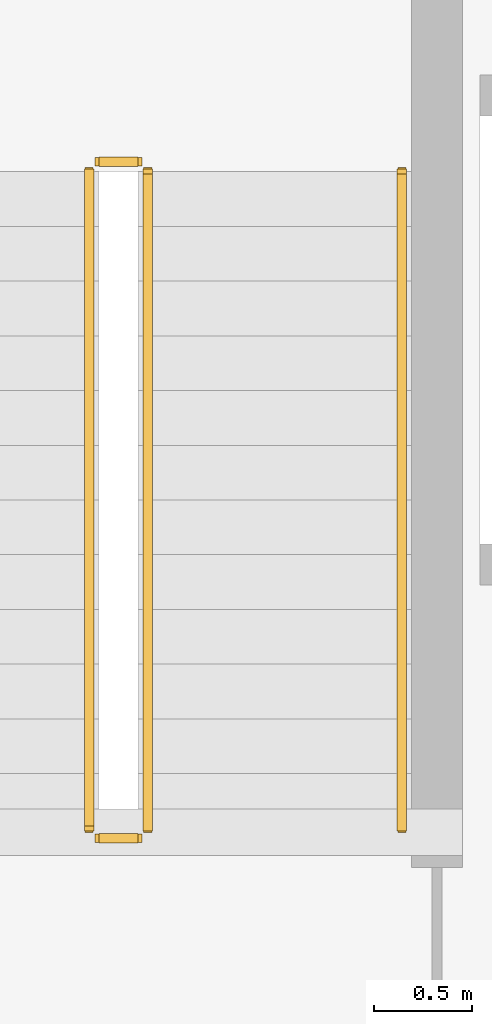
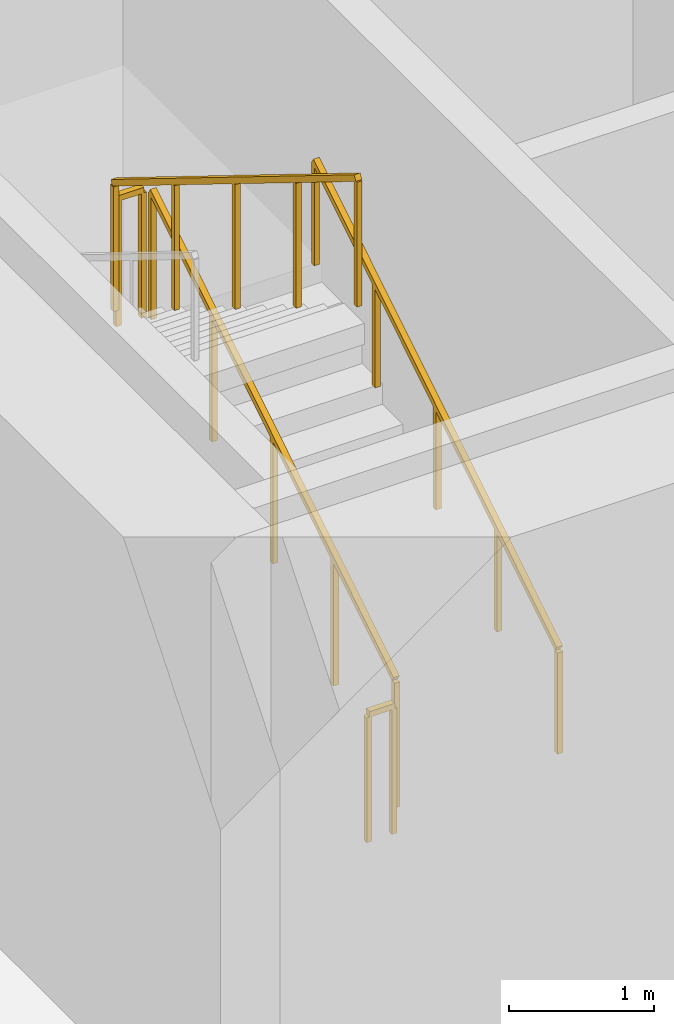
# One storey, part 22 of 25: 5 railings.
"""IFC4 building model written with IfcOpenShell, lengths in metres."""

from ifc_helpers import new_model, si_unit, direction, frame, origin, origin_2d, place, context, subcontext, project, spatial, rectangle, extrude, material, type_object, element, save


model = new_model("IFC4")

# Units and contexts
model_context = context("Model", 3, precision=1e-05, world=origin(), true_north=direction((0.0, 1.0)))
body_context = subcontext(model_context, "Body", "Model", "MODEL_VIEW")
ifc_project = project(units=[si_unit("LENGTHUNIT", "METRE"), si_unit("AREAUNIT", "SQUARE_METRE"), si_unit("VOLUMEUNIT", "CUBIC_METRE"), si_unit("PLANEANGLEUNIT", "RADIAN"), si_unit("MASSUNIT", "GRAM", prefix="KILO")], contexts=[model_context])

# Site, building, storey
site_placement = place(None, origin())
site = spatial("IfcSite", under=ifc_project, at=site_placement, CompositionType="ELEMENT")
building_placement = place(site_placement, origin())
building = spatial("IfcBuilding", under=site, at=building_placement, Name="Kiyonajd Concourse Tower", CompositionType="ELEMENT")
storey_placement = place(building_placement, frame((0.0, 0.0, 68.39990234375)))
storey = spatial("IfcBuildingStorey", under=building, at=storey_placement, Name="L18", CompositionType="ELEMENT", Elevation=68.39990234375)

# Railings
ifc_material_1 = material(Name="Steel ASTM A500 Grade C", Category="steel")
railing_type_1 = type_object("IfcRailingType", Name="RL-GRD-STR", PredefinedType="GUARDRAIL", material=ifc_material_1)
railing_1_placement = place(storey_placement, frame((35.5, 30.550048828125, 0.173095703125)))
element("IfcRailing", 1, at=railing_1_placement, inside=storey, type_object=railing_type_1, Name="L18 ST1 stair guard 1", PredefinedType="GUARDRAIL", context=body_context, shape_type="SweptSolid", body=[
    extrude(rectangle(XDim=0.048095703125, YDim=0.048095703125, at=origin_2d()), frame((0.0, 0.0, 1.076171875), z_axis=(0.0, 0.850606129759, 0.525803396734), x_axis=(-1.0, 0.0, 0.0)), (0.0, 0.0, 1.0), 3.949951171875),
    extrude(rectangle(XDim=0.0419921875, YDim=0.0419921875, at=origin_2d()), origin(), (0.0, 0.0, 1.0), 1.052001953125),
    extrude(rectangle(XDim=0.0419921875, YDim=0.0419921875, at=origin_2d()), frame((0.0, 0.83984375, 0.519287109375)), (0.0, 0.0, 1.0), 1.052001953125),
    extrude(rectangle(XDim=0.0419921875, YDim=0.0419921875, at=origin_2d()), frame((0.0, 1.679931640625, 1.03857421875)), (0.0, 0.0, 1.0), 1.052001953125),
    extrude(rectangle(XDim=0.0419921875, YDim=0.0419921875, at=origin_2d()), frame((0.0, 2.52001953125, 1.5576171875)), (0.0, 0.0, 1.0), 1.052001953125),
    extrude(rectangle(XDim=0.0419921875, YDim=0.0419921875, at=origin_2d()), frame((0.0, 3.35986328125, 2.076904296875)), (0.0, 0.0, 1.0), 1.052001953125),
])
railing_2_placement = place(storey_placement, frame((35.449951171875, 33.9599609375, 2.25)))
element("IfcRailing", 2, at=railing_2_placement, inside=storey, type_object=railing_type_1, Name="L18 ST1 stair guard 2", PredefinedType="GUARDRAIL", context=body_context, shape_type="SweptSolid", body=[
    extrude(rectangle(XDim=0.048095703125, YDim=0.048095703125, at=origin_2d()), frame((0.0, 0.0, 1.076171875), z_axis=(-1.0, 0.0, 0.0), x_axis=(0.0, -1.0, 0.0)), (0.0, 0.0, 1.0), 0.199951171875),
    extrude(rectangle(XDim=0.0419921875, YDim=0.0419921875, at=origin_2d()), origin(), (0.0, 0.0, 1.0), 1.052001953125),
    extrude(rectangle(XDim=0.0419921875, YDim=0.0419921875, at=origin_2d()), frame((-0.199951171875, 0.0, 0.0)), (0.0, 0.0, 1.0), 1.052001953125),
])
railing_3_placement = place(storey_placement, frame((35.199951171875, 33.909912109375, 2.423095703125)))
element("IfcRailing", 3, at=railing_3_placement, inside=storey, type_object=railing_type_1, Name="L18 ST1 stair guard 3", PredefinedType="GUARDRAIL", context=body_context, shape_type="SweptSolid", body=[
    extrude(rectangle(XDim=0.048095703125, YDim=0.048095703125, at=origin_2d()), frame((0.0, 0.0, 1.076171875), z_axis=(0.0, -0.850606129759, 0.525803396734), x_axis=(1.0, 0.0, 0.0)), (0.0, 0.0, 1.0), 3.949951171875),
    extrude(rectangle(XDim=0.0419921875, YDim=0.0419921875, at=origin_2d()), origin(), (0.0, 0.0, 1.0), 1.052001953125),
    extrude(rectangle(XDim=0.0419921875, YDim=0.0419921875, at=origin_2d()), frame((0.0, -0.83984375, 0.519287109375)), (0.0, 0.0, 1.0), 1.052001953125),
    extrude(rectangle(XDim=0.0419921875, YDim=0.0419921875, at=origin_2d()), frame((0.0, -1.679931640625, 1.03857421875)), (0.0, 0.0, 1.0), 1.052001953125),
    extrude(rectangle(XDim=0.0419921875, YDim=0.0419921875, at=origin_2d()), frame((0.0, -2.52001953125, 1.5576171875)), (0.0, 0.0, 1.0), 1.052001953125),
    extrude(rectangle(XDim=0.0419921875, YDim=0.0419921875, at=origin_2d()), frame((0.0, -3.35986328125, 2.076904296875)), (0.0, 0.0, 1.0), 1.052001953125),
])
railing_4_placement = place(storey_placement, frame((35.449951171875, 30.5, 0.0)))
element("IfcRailing", 4, at=railing_4_placement, inside=storey, type_object=railing_type_1, Name="L18 ST1 stair guard 4", PredefinedType="GUARDRAIL", context=body_context, shape_type="SweptSolid", body=[
    extrude(rectangle(XDim=0.048095703125, YDim=0.048095703125, at=origin_2d()), frame((0.0, 0.0, 1.076171875), z_axis=(-1.0, 0.0, 0.0), x_axis=(0.0, -1.0, 0.0)), (0.0, 0.0, 1.0), 0.199951171875),
    extrude(rectangle(XDim=0.0419921875, YDim=0.0419921875, at=origin_2d()), origin(), (0.0, 0.0, 1.0), 1.052001953125),
    extrude(rectangle(XDim=0.0419921875, YDim=0.0419921875, at=origin_2d()), frame((-0.199951171875, 0.0, 0.0)), (0.0, 0.0, 1.0), 1.052001953125),
])
ifc_material_2 = material(Name="Brushed Stainless Steel Cab Assembly", Category="steel")
railing_type_2 = type_object("IfcRailingType", Name="RL-HND-900", PredefinedType="HANDRAIL", material=ifc_material_2)
railing_5_placement = place(storey_placement, frame((36.800048828125, 30.550048828125, 0.173095703125)))
element("IfcRailing", 5, at=railing_5_placement, inside=storey, type_object=railing_type_2, Name="L18 ST1 stair handrail 1", PredefinedType="HANDRAIL", context=body_context, shape_type="SweptSolid", body=[
    extrude(rectangle(XDim=0.048095703125, YDim=0.048095703125, at=origin_2d()), frame((0.0, 0.0, 0.8759765625), z_axis=(0.0, 0.850606129759, 0.525803396734), x_axis=(-1.0, 0.0, 0.0)), (0.0, 0.0, 1.0), 3.949951171875),
    extrude(rectangle(XDim=0.0419921875, YDim=0.0419921875, at=origin_2d()), origin(), (0.0, 0.0, 1.0), 0.851806640625),
    extrude(rectangle(XDim=0.0419921875, YDim=0.0419921875, at=origin_2d()), frame((0.0, 0.83984375, 0.519287109375)), (0.0, 0.0, 1.0), 0.851806640625),
    extrude(rectangle(XDim=0.0419921875, YDim=0.0419921875, at=origin_2d()), frame((0.0, 1.679931640625, 1.03857421875)), (0.0, 0.0, 1.0), 0.851806640625),
    extrude(rectangle(XDim=0.0419921875, YDim=0.0419921875, at=origin_2d()), frame((0.0, 2.52001953125, 1.5576171875)), (0.0, 0.0, 1.0), 0.851806640625),
    extrude(rectangle(XDim=0.0419921875, YDim=0.0419921875, at=origin_2d()), frame((0.0, 3.35986328125, 2.076904296875)), (0.0, 0.0, 1.0), 0.851806640625),
])

save(model, "model.ifc")
